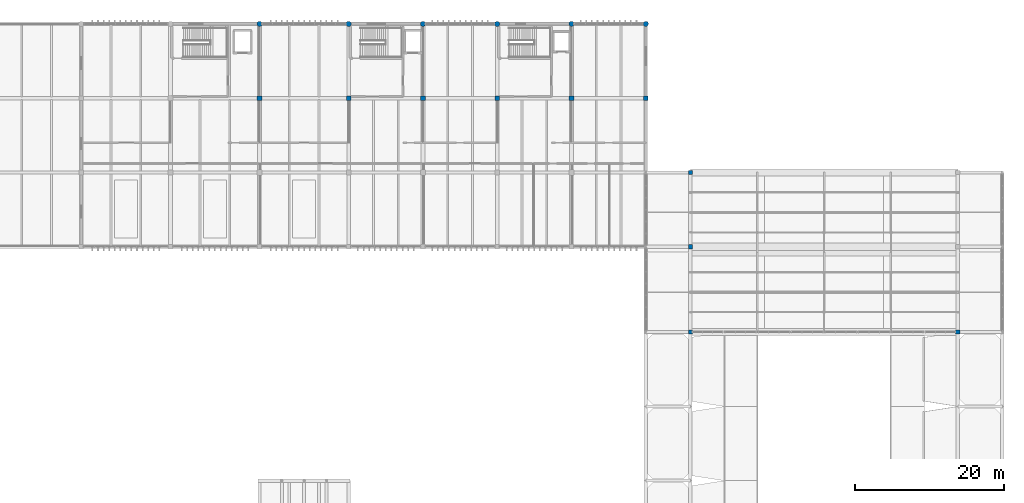
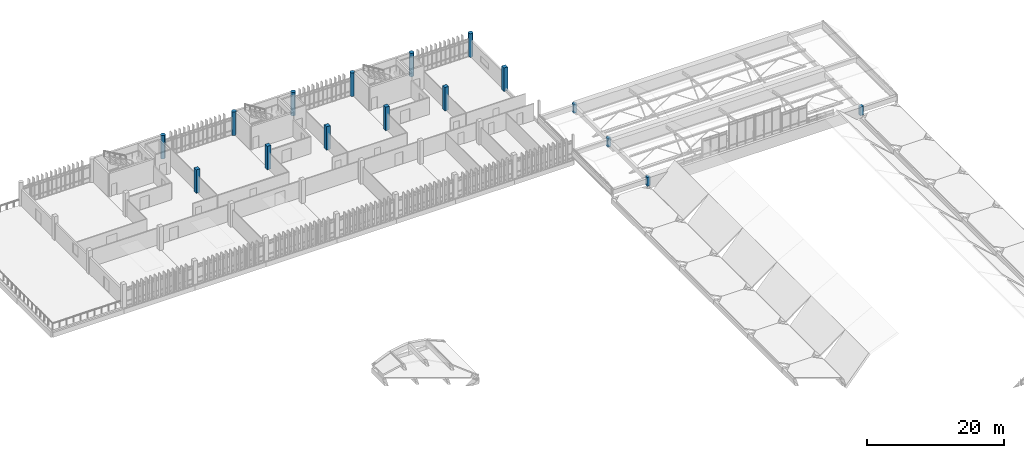
# One storey, part 3 of 82: 16 columns.
"""IFC4 building model written with IfcOpenShell, lengths in metres."""

from ifc_helpers import new_model, si_unit, direction, frame, origin, origin_2d, place, context, subcontext, project, spatial, rectangle, circle, extrude, material, material_profile, profile_set, type_object, element, save


model = new_model("IFC4")

# Units and contexts
model_context = context("Model", 3, precision=1e-05, world=origin(), true_north=direction((0.0, 1.0)))
body_context = subcontext(model_context, "Body", "Model", "MODEL_VIEW")
ifc_project = project(units=[si_unit("LENGTHUNIT", "METRE"), si_unit("AREAUNIT", "SQUARE_METRE"), si_unit("VOLUMEUNIT", "CUBIC_METRE"), si_unit("PLANEANGLEUNIT", "RADIAN"), si_unit("MASSUNIT", "GRAM", prefix="KILO")], contexts=[model_context])

# Site, building, storey
site_placement = place(None, origin())
site = spatial("IfcSite", under=ifc_project, at=site_placement, CompositionType="ELEMENT")
building_placement = place(site_placement, origin())
building = spatial("IfcBuilding", under=site, at=building_placement, Name="Mersad Railyard Sports Hall", CompositionType="ELEMENT")
storey_placement = place(building_placement, frame((0.0, 0.0, 13.199951171875)))
storey = spatial("IfcBuildingStorey", under=building, at=storey_placement, Name="L03", CompositionType="ELEMENT", Elevation=13.199951171875)

# Columns
ifc_material_1 = material(Name="Concrete C40/50", Category="concrete")
ifc_material_profile_1 = material_profile(ifc_material_1, rectangle(XDim=0.64990234375, YDim=0.64990234375, at=origin_2d()), Name="RC 650x650")
ifc_profile_set_1 = profile_set([ifc_material_profile_1], Name="Concrete C40/50")
column_type_1 = type_object("IfcColumnType", Name="STR-COL-C04", PredefinedType="COLUMN", material=ifc_profile_set_1)
for number, where, z_axis, x_axis, name in (
    (1, (79.0, 105.0, 0.0), (0.0, 0.0, 1.0), (1.0, 0.0, 0.0), "Column C04 L03 (79.0,105.0)"),
    (2, (91.0, 105.0, 0.0), (0.0, 0.0, 1.0), (1.0, 0.0, 0.0), "Column C04 L03 (91.0,105.0)"),
    (3, (101.0, 105.0, 0.0), (0.0, 0.0, 1.0), (1.0, 0.0, 0.0), "Column C04 L03 (101.0,105.0)"),
    (4, (111.0, 105.0, 0.0), (0.0, 0.0, 1.0), (1.0, 0.0, 0.0), "Column C04 L03 (111.0,105.0)"),
    (5, (121.0, 105.0, 0.0), (0.0, 0.0, 1.0), (1.0, 0.0, 0.0), "Column C04 L03 (121.0,105.0)"),
    (6, (131.0, 105.0, 0.0), (0.0, 0.0, 1.0), (1.0, 0.0, 0.0), "Column C04 L03 (131.0,105.0)"),
):
    element("IfcColumn", number, at=place(storey_placement, frame(where, z_axis=z_axis, x_axis=x_axis)), inside=storey, type_object=column_type_1, Name=name, PredefinedType="COLUMN", context=body_context, shape_type="SweptSolid", body=[
        extrude(rectangle(XDim=0.64990234375, YDim=0.64990234375, at=origin_2d()), origin(), (0.0, 0.0, 1.0), 4.199951171875),
    ])
ifc_material_profile_2 = material_profile(ifc_material_1, rectangle(XDim=0.550048828125, YDim=0.550048828125, at=origin_2d()), Name="RC 550x550")
ifc_profile_set_2 = profile_set([ifc_material_profile_2], Name="Concrete C40/50")
column_type_2 = type_object("IfcColumnType", Name="STR-COL-C05", PredefinedType="COLUMN", material=ifc_profile_set_2)
for number, where, z_axis, x_axis, name in (
    (7, (137.0, 73.5, 0.0), (0.0, 0.0, 1.0), (1.0, 0.0, 0.0), "Column C05 L03 (137.0,73.5)"),
    (8, (137.0, 85.0, 0.0), (0.0, 0.0, 1.0), (1.0, 0.0, 0.0), "Column C05 L03 (137.0,85.0)"),
    (9, (137.0, 95.0, 0.0), (0.0, 0.0, 1.0), (1.0, 0.0, 0.0), "Column C05 L03 (137.0,95.0)"),
    (10, (173.0, 73.5, 0.0), (0.0, 0.0, 1.0), (1.0, 0.0, 0.0), "Column C05 L03 (173.0,73.5)"),
):
    element("IfcColumn", number, at=place(storey_placement, frame(where, z_axis=z_axis, x_axis=x_axis)), inside=storey, type_object=column_type_2, Name=name, PredefinedType="COLUMN", context=body_context, shape_type="SweptSolid", body=[
        extrude(rectangle(XDim=0.550048828125, YDim=0.550048828125, at=origin_2d()), origin(), (0.0, 0.0, 1.0), 1.60009765625),
    ])
ifc_material_2 = material(Name="Architectural concrete C40/50", Category="concrete")
ifc_material_profile_3 = material_profile(ifc_material_2, circle(Radius=0.35009765625, at=origin_2d()), Name="RC D700")
ifc_profile_set_3 = profile_set([ifc_material_profile_3], Name="Architectural concrete C40/50")
column_type_3 = type_object("IfcColumnType", Name="STR-COL-C08", PredefinedType="COLUMN", material=ifc_profile_set_3)
for number, where, z_axis, x_axis, name in (
    (11, (79.0, 115.0, 0.0), (0.0, 0.0, 1.0), (1.0, 0.0, 0.0), "Column C08 L03 (79.0,115.0)"),
    (12, (91.0, 115.0, 0.0), (0.0, 0.0, 1.0), (1.0, 0.0, 0.0), "Column C08 L03 (91.0,115.0)"),
    (13, (101.0, 115.0, 0.0), (0.0, 0.0, 1.0), (1.0, 0.0, 0.0), "Column C08 L03 (101.0,115.0)"),
    (14, (111.0, 115.0, 0.0), (0.0, 0.0, 1.0), (1.0, 0.0, 0.0), "Column C08 L03 (111.0,115.0)"),
    (15, (121.0, 115.0, 0.0), (0.0, 0.0, 1.0), (1.0, 0.0, 0.0), "Column C08 L03 (121.0,115.0)"),
    (16, (131.0, 115.0, 0.0), (0.0, 0.0, 1.0), (1.0, 0.0, 0.0), "Column C08 L03 (131.0,115.0)"),
):
    element("IfcColumn", number, at=place(storey_placement, frame(where, z_axis=z_axis, x_axis=x_axis)), inside=storey, type_object=column_type_3, Name=name, PredefinedType="COLUMN", context=body_context, shape_type="SweptSolid", body=[
        extrude(circle(Radius=0.35009765625, at=origin_2d()), origin(), (0.0, 0.0, 1.0), 4.199951171875),
    ])

save(model, "model.ifc")
